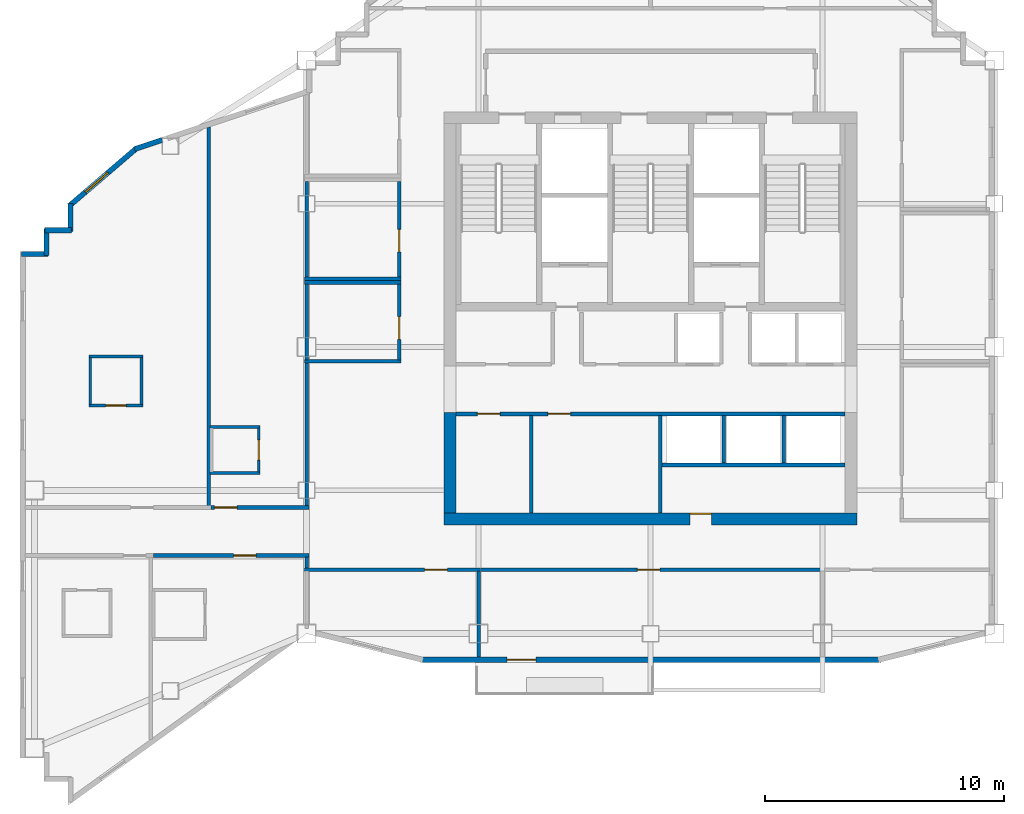
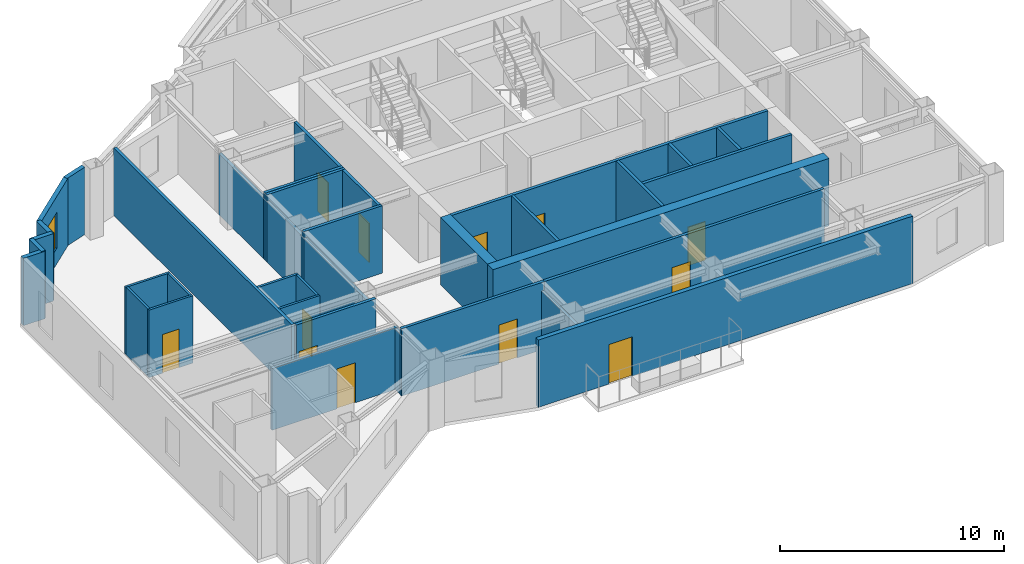
# One storey, part 5 of 9: 37 walls, 12 doors, 1 window, 13 openings.
"""IFC4 building model written with IfcOpenShell, lengths in metres."""

from ifc_helpers import new_model, si_unit, direction, frame, frame_2d, origin, place, context, subcontext, project, spatial, rectangle, extrude, material, layer, layer_set, type_object, element, fill, save


model = new_model("IFC4")

# Units and contexts
model_context = context("Model", 3, precision=1e-05, world=origin(), true_north=direction((0.0, 1.0)))
body_context = subcontext(model_context, "Body", "Model", "MODEL_VIEW")
ifc_project = project(units=[si_unit("LENGTHUNIT", "METRE"), si_unit("AREAUNIT", "SQUARE_METRE"), si_unit("VOLUMEUNIT", "CUBIC_METRE"), si_unit("PLANEANGLEUNIT", "RADIAN"), si_unit("MASSUNIT", "GRAM", prefix="KILO")], contexts=[model_context])

# Site, building, storey
site_placement = place(None, origin())
site = spatial("IfcSite", under=ifc_project, at=site_placement, CompositionType="ELEMENT")
building_placement = place(site_placement, origin())
building = spatial("IfcBuilding", under=site, at=building_placement, Name="Haolan Belvedere Tower", CompositionType="ELEMENT")
storey_placement = place(building_placement, frame((0.0, 0.0, 242.89990234375)))
storey = spatial("IfcBuildingStorey", under=building, at=storey_placement, Name="L61", CompositionType="ELEMENT", Elevation=242.89990234375)

# Wall, opening, door
ifc_material_1 = material(Name="Concrete C50/60", Category="concrete")
ifc_layer_1 = layer(ifc_material_1, 0.5, Name="Concrete C50/60")
ifc_layer_set_1 = layer_set([ifc_layer_1], Name="Concrete C50/60")
wall_type_1 = type_object("IfcWallType", Name="WL-CORE-500", PredefinedType="SHEAR", material=ifc_layer_set_1)
wall_1_placement = place(storey_placement, frame((29.75, 26.39990234375, 0.0), z_axis=(0.0, 0.0, 1.0), x_axis=(1.0, 0.0, 0.0)))
wall_1 = element("IfcWall", 1, at=wall_1_placement, inside=storey, type_object=wall_type_1, Name="L61 central core south shear wall", PredefinedType="SHEAR", context=body_context, shape_type="SweptSolid", body=[
    extrude(rectangle(XDim=17.300048828125, YDim=0.5, at=frame_2d((8.64990234375, 0.0))), origin(), (0.0, 0.0, 1.0), 3.670166015625),
])
opening_1_placement = place(wall_1_placement, frame((11.199951171875, 0.0, 0.0), z_axis=(0.0, 0.0, 1.0), x_axis=(-1.0, 0.0, 0.0)))
opening_1 = element("IfcOpeningElement", 2, at=opening_1_placement, cuts=wall_1, Name="Opening FD-05", PredefinedType="OPENING", context=body_context, shape_type="SweptSolid", body=[
    extrude(rectangle(XDim=0.89990234375, YDim=2.10009765625, at=frame_2d((0.449951171875, 1.050048828125))), frame((0.0, 0.260009765625, 0.0), z_axis=(0.0, -1.0, 0.0), x_axis=(1.0, 0.0, 0.0)), (0.0, 0.0, 1.0), 0.52001953125),
])
ifc_material_2 = material(Name="Galvanised fire-rated steel", Category="steel")
door_type_1 = type_object("IfcDoorType", Name="DR-FD60-900", OperationType="NOTDEFINED", PredefinedType="DOOR", material=ifc_material_2)
door_1_placement = place(opening_1_placement, origin())
door_1 = element("IfcDoor", 3, at=door_1_placement, inside=storey, type_object=door_type_1, Name="L61 door CD-L61-SCVE", OperationType="SINGLE_SWING_RIGHT", OverallHeight=2.10009765625, OverallWidth=0.89990234375, PredefinedType="DOOR", context=body_context, shape_type="SweptSolid", body=[
    extrude(rectangle(XDim=0.89990234375, YDim=2.10009765625, at=frame_2d((0.449951171875, 1.050048828125))), frame((0.0, -0.19482421875, 0.0), z_axis=(0.0, -1.0, 0.0), x_axis=(1.0, 0.0, 0.0)), (0.0, 0.0, 1.0), 0.050048828125),
])
fill(opening_1, door_1)

# Wall
wall_2_placement = place(storey_placement, frame((30.0, 26.64990234375, 0.0), z_axis=(0.0, 0.0, 1.0), x_axis=(0.0, 1.0, 0.0)))
element("IfcWall", 4, at=wall_2_placement, inside=storey, type_object=wall_type_1, Name="L61 central core shear wall WS", PredefinedType="SHEAR", context=body_context, shape_type="SweptSolid", body=[
    extrude(rectangle(XDim=4.2001953125, YDim=0.5, at=frame_2d((2.10009765625, 0.0))), origin(), (0.0, 0.0, 1.0), 3.670166015625),
])

# Wall, opening, door
ifc_material_3 = material(Name="Precast concrete C40/50", Category="concrete")
ifc_layer_2 = layer(ifc_material_3, 0.219970703125, Name="Precast concrete C40/50")
ifc_layer_set_2 = layer_set([ifc_layer_2], Name="Precast concrete C40/50")
wall_type_2 = type_object("IfcWallType", Name="WL-EXT-220", PredefinedType="SOLIDWALL", material=ifc_layer_set_2)
wall_3_placement = place(storey_placement, frame((28.758544921875, 20.510009765625, 0.0), z_axis=(0.0, 0.0, 1.0), x_axis=(1.0, 0.0, 0.0)))
wall_3 = element("IfcWall", 5, at=wall_3_placement, inside=storey, type_object=wall_type_2, Name="L61 pale-metal exterior spandrel wall 1.1", PredefinedType="SOLIDWALL", context=body_context, shape_type="SweptSolid", body=[
    extrude(rectangle(XDim=19.282958984375, YDim=0.219970703125, at=frame_2d((9.6416015625, 0.0))), origin(), (0.0, 0.0, 1.0), 3.670166015625),
])
opening_2_placement = place(wall_3_placement, frame((4.841552734375, 0.0, 0.0), z_axis=(0.0, 0.0, 1.0), x_axis=(-1.0, 0.0, 0.0)))
opening_2 = element("IfcOpeningElement", 6, at=opening_2_placement, cuts=wall_3, Name="Opening BD-01", PredefinedType="OPENING", context=body_context, shape_type="SweptSolid", body=[
    extrude(rectangle(XDim=1.199951171875, YDim=2.14990234375, at=frame_2d((0.60009765625, 1.074951171875))), frame((0.0, 0.119873046875, 0.0), z_axis=(0.0, -1.0, 0.0), x_axis=(1.0, 0.0, 0.0)), (0.0, 0.0, 1.0), 0.239990234375),
])
ifc_material_4 = material(Name="Thermally broken pale-metal aluminium and Low-E glass", Category="aluminium")
door_type_2 = type_object("IfcDoorType", Name="DR-BAL-1200", OperationType="NOTDEFINED", PredefinedType="DOOR", material=ifc_material_4)
door_2_placement = place(opening_2_placement, origin())
door_2 = element("IfcDoor", 7, at=door_2_placement, inside=storey, type_object=door_type_2, Name="L61 tree-balcony access door 1", OperationType="SINGLE_SWING_LEFT", OverallHeight=2.14990234375, OverallWidth=1.199951171875, PredefinedType="DOOR", context=body_context, shape_type="SweptSolid", body=[
    extrude(rectangle(XDim=1.199951171875, YDim=2.14990234375, at=frame_2d((0.60009765625, 1.074951171875))), frame((0.0, 0.02490234375, 0.0), z_axis=(0.0, -1.0, 0.0), x_axis=(1.0, 0.0, 0.0)), (0.0, 0.0, 1.0), 0.050048828125),
])
fill(opening_2, door_2)

# Wall
wall_4_placement = place(storey_placement, frame((17.9580078125, 42.27001953125, 0.0), z_axis=(0.0, 0.0, 1.0), x_axis=(-0.948683298051, -0.316227766017, 0.0)))
element("IfcWall", 8, at=wall_4_placement, inside=storey, type_object=wall_type_2, Name="L61 pale-metal exterior spandrel wall 17.2", PredefinedType="SOLIDWALL", context=body_context, shape_type="SweptSolid", body=[
    extrude(rectangle(XDim=1.217529296875, YDim=0.219970703125, at=frame_2d((0.60888671875, 0.0))), origin(), (0.0, 0.0, 1.0), 3.670166015625),
])

# Wall, opening, window
wall_5_placement = place(storey_placement, frame((16.89697265625, 41.938232421875, 0.0), z_axis=(0.0, 0.0, 1.0), x_axis=(-0.759279729622, -0.650764390686, 0.0)))
wall_5 = element("IfcWall", 9, at=wall_5_placement, inside=storey, type_object=wall_type_2, Name="L61 pale-metal exterior spandrel wall 18.1", PredefinedType="SOLIDWALL", context=body_context, shape_type="SweptSolid", body=[
    extrude(rectangle(XDim=3.725830078125, YDim=0.219970703125, at=frame_2d((1.86279296875, 0.0))), origin(), (0.0, 0.0, 1.0), 3.670166015625),
])
opening_3_placement = place(wall_5_placement, frame((1.60009765625, 0.0, 0.85009765625)))
opening_3 = element("IfcOpeningElement", 10, at=opening_3_placement, cuts=wall_5, Name="Opening W-04", PredefinedType="OPENING", context=body_context, shape_type="SweptSolid", body=[
    extrude(rectangle(XDim=1.25, YDim=1.949951171875, at=frame_2d((0.625, 0.97509765625))), frame((0.0, 0.119873046875, 0.0), z_axis=(0.0, -1.0, 0.0), x_axis=(1.0, 0.0, 0.0)), (0.0, 0.0, 1.0), 0.239990234375),
])
ifc_material_5 = material(Name="Anodised aluminium 6063-T6 and Low-E glass", Category="aluminium")
window_type = type_object("IfcWindowType", Name="WN-DECO-Z4", PartitioningType="SINGLE_PANEL", PredefinedType="WINDOW", material=ifc_material_5)
window_placement = place(opening_3_placement, origin())
window = element("IfcWindow", 11, at=window_placement, inside=storey, type_object=window_type, Name="L61 Art Deco chevron window 1", OverallHeight=1.949951171875, OverallWidth=1.25, PartitioningType="SINGLE_PANEL", PredefinedType="WINDOW", context=body_context, shape_type="SweptSolid", body=[
    extrude(rectangle(XDim=1.25, YDim=1.949951171875, at=frame_2d((0.625, 0.97509765625))), frame((0.0, 0.030029296875, 0.0), z_axis=(0.0, -1.0, 0.0), x_axis=(1.0, 0.0, 0.0)), (0.0, 0.0, 1.0), 0.06005859375),
])
fill(opening_3, window)

# Walls
wall_6_placement = place(storey_placement, frame((14.110107421875, 39.6044921875, 0.0), z_axis=(0.0, 0.0, 1.0), x_axis=(0.0, -1.0, 0.0)))
element("IfcWall", 12, at=wall_6_placement, inside=storey, type_object=wall_type_2, Name="L61 pale-metal exterior spandrel wall 19.1", PredefinedType="SOLIDWALL", context=body_context, shape_type="SweptSolid", body=[
    extrude(rectangle(XDim=1.16943359375, YDim=0.219970703125, at=frame_2d((0.584716796875, 0.0))), origin(), (0.0, 0.0, 1.0), 3.670166015625),
])
wall_7_placement = place(storey_placement, frame((14.1650390625, 38.489990234375, 0.0), z_axis=(0.0, 0.0, 1.0), x_axis=(-1.0, 0.0, 0.0)))
element("IfcWall", 13, at=wall_7_placement, inside=storey, type_object=wall_type_2, Name="L61 pale-metal exterior spandrel wall 20.1", PredefinedType="SOLIDWALL", context=body_context, shape_type="SweptSolid", body=[
    extrude(rectangle(XDim=1.110107421875, YDim=0.219970703125, at=frame_2d((0.55517578125, 0.0))), origin(), (0.0, 0.0, 1.0), 3.670166015625),
])
wall_8_placement = place(storey_placement, frame((13.110107421875, 38.544921875, 0.0), z_axis=(0.0, 0.0, 1.0), x_axis=(0.0, -1.0, 0.0)))
element("IfcWall", 14, at=wall_8_placement, inside=storey, type_object=wall_type_2, Name="L61 pale-metal exterior spandrel wall 21.1", PredefinedType="SOLIDWALL", context=body_context, shape_type="SweptSolid", body=[
    extrude(rectangle(XDim=1.10986328125, YDim=0.219970703125, at=frame_2d((0.554931640625, 0.0))), origin(), (0.0, 0.0, 1.0), 3.670166015625),
])
wall_9_placement = place(storey_placement, frame((13.1650390625, 37.489990234375, 0.0), z_axis=(0.0, 0.0, 1.0), x_axis=(-1.0, 0.0, 0.0)))
element("IfcWall", 15, at=wall_9_placement, inside=storey, type_object=wall_type_2, Name="L61 pale-metal exterior spandrel wall 22.1", PredefinedType="SOLIDWALL", context=body_context, shape_type="SweptSolid", body=[
    extrude(rectangle(XDim=1.110107421875, YDim=0.219970703125, at=frame_2d((0.55517578125, 0.0))), origin(), (0.0, 0.0, 1.0), 3.670166015625),
])
ifc_material_6 = material(Name="Double gypsum acoustic stud partition", Category="masonry")
ifc_layer_3 = layer(ifc_material_6, 0.14990234375, Name="Double gypsum acoustic stud partition")
ifc_layer_set_3 = layer_set([ifc_layer_3], Name="Double gypsum acoustic stud partition")
wall_type_3 = type_object("IfcWallType", Name="WL-PART-150", PredefinedType="PARTITIONING", material=ifc_layer_set_3)
wall_10_placement = place(storey_placement, frame((33.39990234375, 26.659912109375, 0.0), z_axis=(0.0, 0.0, 1.0), x_axis=(0.0, 1.0, 0.0)))
element("IfcWall", 16, at=wall_10_placement, inside=storey, type_object=wall_type_3, Name="L61 interior partition IW-L61-DIV-REUSE-PM", PredefinedType="PARTITIONING", context=body_context, shape_type="SweptSolid", body=[
    extrude(rectangle(XDim=4.0751953125, YDim=0.14990234375, at=frame_2d((2.03759765625, 0.0))), origin(), (0.0, 0.0, 1.0), 3.670166015625),
])
wall_11_placement = place(storey_placement, frame((38.860107421875, 28.659912109375, 0.0), z_axis=(0.0, 0.0, 1.0), x_axis=(1.0, 0.0, 0.0)))
element("IfcWall", 17, at=wall_11_placement, inside=storey, type_object=wall_type_3, Name="L61 interior partition IW-L61-SSTRIP-E", PredefinedType="PARTITIONING", context=body_context, shape_type="SweptSolid", body=[
    extrude(rectangle(XDim=7.68994140625, YDim=0.14990234375, at=frame_2d((3.844970703125, 0.0))), origin(), (0.0, 0.0, 1.0), 3.670166015625),
])
for number, where, z_axis, x_axis, name in (
    (18, (23.919921875, 36.300048828125, 0.0), (0.0, 0.0, 1.0), (1.0, 0.0, 0.0), "L61 interior partition IW-L61-AWC-N"),
    (19, (23.919921875, 33.0, 0.0), (0.0, 0.0, 1.0), (1.0, 0.0, 0.0), "L61 interior partition IW-L61-AWC-S"),
):
    element("IfcWall", number, at=place(storey_placement, frame(where, z_axis=z_axis, x_axis=x_axis)), inside=storey, type_object=wall_type_3, Name=name, PredefinedType="PARTITIONING", context=body_context, shape_type="SweptSolid", body=[
        extrude(rectangle(XDim=4.0400390625, YDim=0.14990234375, at=frame_2d((2.02001953125, 0.0))), origin(), (0.0, 0.0, 1.0), 3.670166015625),
    ])
wall_12_placement = place(storey_placement, frame((24.0, 33.06005859375, 0.0), z_axis=(0.0, 0.0, 1.0), x_axis=(0.0, 1.0, 0.0)))
element("IfcWall", 20, at=wall_12_placement, inside=storey, type_object=wall_type_3, Name="L61 interior partition IW-L61-AWC-W", PredefinedType="PARTITIONING", context=body_context, shape_type="SweptSolid", body=[
    extrude(rectangle(XDim=3.179931640625, YDim=0.14990234375, at=frame_2d((1.58984375, 0.0))), origin(), (0.0, 0.0, 1.0), 3.315185546875),
])

# Wall, opening, door
wall_13_placement = place(storey_placement, frame((27.8798828125, 33.06005859375, 0.0), z_axis=(0.0, 0.0, 1.0), x_axis=(0.0, 1.0, 0.0)))
wall_13 = element("IfcWall", 21, at=wall_13_placement, inside=storey, type_object=wall_type_3, Name="L61 interior partition IW-L61-AWC-E", PredefinedType="PARTITIONING", context=body_context, shape_type="SweptSolid", body=[
    extrude(rectangle(XDim=3.179931640625, YDim=0.14990234375, at=frame_2d((1.58984375, 0.0))), origin(), (0.0, 0.0, 1.0), 3.670166015625),
])
opening_4_placement = place(wall_13_placement, frame((1.81005859375, 0.0, 0.0), z_axis=(0.0, 0.0, 1.0), x_axis=(-1.0, 0.0, 0.0)))
opening_4 = element("IfcOpeningElement", 22, at=opening_4_placement, cuts=wall_13, Name="Opening ID-03", PredefinedType="OPENING", context=body_context, shape_type="SweptSolid", body=[
    extrude(rectangle(XDim=0.949951171875, YDim=2.1201171875, at=frame_2d((0.47509765625, 1.06005859375))), frame((0.0, 0.0849609375, 0.0), z_axis=(0.0, -1.0, 0.0), x_axis=(1.0, 0.0, 0.0)), (0.0, 0.0, 1.0), 0.169921875),
])
ifc_material_7 = material(Name="Painted solid-core timber", Category="wood")
door_type_3 = type_object("IfcDoorType", Name="DR-INT-950", OperationType="NOTDEFINED", PredefinedType="DOOR", material=ifc_material_7)
door_3_placement = place(opening_4_placement, origin())
door_3 = element("IfcDoor", 23, at=door_3_placement, inside=storey, type_object=door_type_3, Name="L61 door ID-L61-AWC", OperationType="SINGLE_SWING_LEFT", OverallHeight=2.1201171875, OverallWidth=0.949951171875, PredefinedType="DOOR", context=body_context, shape_type="SweptSolid", body=[
    extrude(rectangle(XDim=0.949951171875, YDim=2.1201171875, at=frame_2d((0.47509765625, 1.06005859375))), frame((0.0, 0.02490234375, 0.0), z_axis=(0.0, -1.0, 0.0), x_axis=(1.0, 0.0, 0.0)), (0.0, 0.0, 1.0), 0.050048828125),
])
fill(opening_4, door_3)

# Walls
wall_14_placement = place(storey_placement, frame((23.919921875, 36.4599609375, 0.0), z_axis=(0.0, 0.0, 1.0), x_axis=(1.0, 0.0, 0.0)))
element("IfcWall", 24, at=wall_14_placement, inside=storey, type_object=wall_type_3, Name="L61 interior partition IW-L61-PNT-S", PredefinedType="PARTITIONING", context=body_context, shape_type="SweptSolid", body=[
    extrude(rectangle(XDim=4.0400390625, YDim=0.14990234375, at=frame_2d((2.02001953125, 0.0))), origin(), (0.0, 0.0, 1.0), 3.670166015625),
])
wall_15_placement = place(storey_placement, frame((24.0, 36.52001953125, 0.0), z_axis=(0.0, 0.0, 1.0), x_axis=(0.0, 1.0, 0.0)))
element("IfcWall", 25, at=wall_15_placement, inside=storey, type_object=wall_type_3, Name="L61 interior partition IW-L61-PNT-W", PredefinedType="PARTITIONING", context=body_context, shape_type="SweptSolid", body=[
    extrude(rectangle(XDim=4.02001953125, YDim=0.14990234375, at=frame_2d((2.010009765625, 0.0))), origin(), (0.0, 0.0, 1.0), 3.315185546875),
])

# Wall, opening, door
wall_16_placement = place(storey_placement, frame((27.8798828125, 36.52001953125, 0.0), z_axis=(0.0, 0.0, 1.0), x_axis=(0.0, 1.0, 0.0)))
wall_16 = element("IfcWall", 26, at=wall_16_placement, inside=storey, type_object=wall_type_3, Name="L61 interior partition IW-L61-PNT-E", PredefinedType="PARTITIONING", context=body_context, shape_type="SweptSolid", body=[
    extrude(rectangle(XDim=4.02001953125, YDim=0.14990234375, at=frame_2d((2.010009765625, 0.0))), origin(), (0.0, 0.0, 1.0), 3.670166015625),
])
opening_5_placement = place(wall_16_placement, frame((2.010009765625, 0.0, 0.0), z_axis=(0.0, 0.0, 1.0), x_axis=(-1.0, 0.0, 0.0)))
opening_5 = element("IfcOpeningElement", 27, at=opening_5_placement, cuts=wall_16, Name="Opening ID-03", PredefinedType="OPENING", context=body_context, shape_type="SweptSolid", body=[
    extrude(rectangle(XDim=0.949951171875, YDim=2.1201171875, at=frame_2d((0.47509765625, 1.06005859375))), frame((0.0, 0.0849609375, 0.0), z_axis=(0.0, -1.0, 0.0), x_axis=(1.0, 0.0, 0.0)), (0.0, 0.0, 1.0), 0.169921875),
])
door_4_placement = place(opening_5_placement, origin())
door_4 = element("IfcDoor", 28, at=door_4_placement, inside=storey, type_object=door_type_3, Name="L61 door ID-L61-PNT", OperationType="SINGLE_SWING_RIGHT", OverallHeight=2.1201171875, OverallWidth=0.949951171875, PredefinedType="DOOR", context=body_context, shape_type="SweptSolid", body=[
    extrude(rectangle(XDim=0.949951171875, YDim=2.1201171875, at=frame_2d((0.47509765625, 1.06005859375))), frame((0.0, 0.02490234375, 0.0), z_axis=(0.0, -1.0, 0.0), x_axis=(1.0, 0.0, 0.0)), (0.0, 0.0, 1.0), 0.050048828125),
])
fill(opening_5, door_4)

wall_17_placement = place(storey_placement, frame((23.919921875, 24.280029296875, 0.0), z_axis=(0.0, 0.0, 1.0), x_axis=(1.0, 0.0, 0.0)))
wall_17 = element("IfcWall", 29, at=wall_17_placement, inside=storey, type_object=wall_type_3, Name="L61 interior partition IW-L61-KS1-N", PredefinedType="PARTITIONING", context=body_context, shape_type="SweptSolid", body=[
    extrude(rectangle(XDim=7.360107421875, YDim=0.14990234375, at=frame_2d((3.68017578125, 0.0))), origin(), (0.0, 0.0, 1.0), 3.670166015625),
])
opening_6_placement = place(wall_17_placement, frame((5.969970703125, 0.0, 0.0), z_axis=(0.0, 0.0, 1.0), x_axis=(-1.0, 0.0, 0.0)))
opening_6 = element("IfcOpeningElement", 30, at=opening_6_placement, cuts=wall_17, Name="Opening ID-03", PredefinedType="OPENING", context=body_context, shape_type="SweptSolid", body=[
    extrude(rectangle(XDim=0.949951171875, YDim=2.1201171875, at=frame_2d((0.47509765625, 1.06005859375))), frame((0.0, 0.0849609375, 0.0), z_axis=(0.0, -1.0, 0.0), x_axis=(1.0, 0.0, 0.0)), (0.0, 0.0, 1.0), 0.169921875),
])
door_5_placement = place(opening_6_placement, origin())
door_5 = element("IfcDoor", 31, at=door_5_placement, inside=storey, type_object=door_type_3, Name="L61 door ID-L61-KS1", OperationType="SINGLE_SWING_LEFT", OverallHeight=2.1201171875, OverallWidth=0.949951171875, PredefinedType="DOOR", context=body_context, shape_type="SweptSolid", body=[
    extrude(rectangle(XDim=0.949951171875, YDim=2.1201171875, at=frame_2d((0.47509765625, 1.06005859375))), frame((0.0, 0.02490234375, 0.0), z_axis=(0.0, -1.0, 0.0), x_axis=(1.0, 0.0, 0.0)), (0.0, 0.0, 1.0), 0.050048828125),
])
fill(opening_6, door_5)

# Wall
wall_18_placement = place(storey_placement, frame((31.199951171875, 20.612060546875, 0.0), z_axis=(0.0, 0.0, 1.0), x_axis=(0.0, 1.0, 0.0)))
element("IfcWall", 32, at=wall_18_placement, inside=storey, type_object=wall_type_3, Name="L61 interior partition IW-L61-KS1-E", PredefinedType="PARTITIONING", context=body_context, shape_type="SweptSolid", body=[
    extrude(rectangle(XDim=3.60791015625, YDim=0.14990234375, at=frame_2d((1.803955078125, 0.0))), origin(), (0.0, 0.0, 1.0), 3.205078125),
])

# Wall, opening, door
wall_19_placement = place(storey_placement, frame((31.281982421875, 24.280029296875, 0.0), z_axis=(0.0, 0.0, 1.0), x_axis=(1.0, 0.0, 0.0)))
wall_19 = element("IfcWall", 33, at=wall_19_placement, inside=storey, type_object=wall_type_3, Name="L61 interior partition IW-L61-KS2-N", PredefinedType="PARTITIONING", context=body_context, shape_type="SweptSolid", body=[
    extrude(rectangle(XDim=14.39794921875, YDim=0.14990234375, at=frame_2d((7.198974609375, 0.0))), origin(), (0.0, 0.0, 1.0), 3.670166015625),
])
opening_7_placement = place(wall_19_placement, frame((7.512939453125, 0.0, 0.0), z_axis=(0.0, 0.0, 1.0), x_axis=(-1.0, 0.0, 0.0)))
opening_7 = element("IfcOpeningElement", 34, at=opening_7_placement, cuts=wall_19, Name="Opening ID-03", PredefinedType="OPENING", context=body_context, shape_type="SweptSolid", body=[
    extrude(rectangle(XDim=0.949951171875, YDim=2.1201171875, at=frame_2d((0.47509765625, 1.06005859375))), frame((0.0, 0.0849609375, 0.0), z_axis=(0.0, -1.0, 0.0), x_axis=(1.0, 0.0, 0.0)), (0.0, 0.0, 1.0), 0.169921875),
])
door_6_placement = place(opening_7_placement, origin())
door_6 = element("IfcDoor", 35, at=door_6_placement, inside=storey, type_object=door_type_3, Name="L61 door ID-L61-KS2", OperationType="SINGLE_SWING_RIGHT", OverallHeight=2.1201171875, OverallWidth=0.949951171875, PredefinedType="DOOR", context=body_context, shape_type="SweptSolid", body=[
    extrude(rectangle(XDim=0.949951171875, YDim=2.1201171875, at=frame_2d((0.47509765625, 1.06005859375))), frame((0.0, 0.02490234375, 0.0), z_axis=(0.0, -1.0, 0.0), x_axis=(1.0, 0.0, 0.0)), (0.0, 0.0, 1.0), 0.050048828125),
])
fill(opening_7, door_6)

# Wall
wall_20_placement = place(storey_placement, frame((19.89990234375, 26.93994140625, 0.0), z_axis=(0.0, 0.0, 1.0), x_axis=(0.0, 1.0, 0.0)))
element("IfcWall", 36, at=wall_20_placement, inside=storey, type_object=wall_type_3, Name="L61 interior partition IW-L61-T2N1-E", PredefinedType="PARTITIONING", context=body_context, shape_type="SweptSolid", body=[
    extrude(rectangle(XDim=15.869873046875, YDim=0.14990234375, at=frame_2d((7.93505859375, 0.0))), origin(), (0.0, 0.0, 1.0), 3.670166015625),
])

# Wall, opening, door
wall_21_placement = place(storey_placement, frame((20.001953125, 26.8798828125, 0.0), z_axis=(0.0, 0.0, 1.0), x_axis=(1.0, 0.0, 0.0)))
wall_21 = element("IfcWall", 37, at=wall_21_placement, inside=storey, type_object=wall_type_3, Name="L61 interior partition IW-L61-T2N2-S", PredefinedType="PARTITIONING", context=body_context, shape_type="SweptSolid", body=[
    extrude(rectangle(XDim=4.09814453125, YDim=0.14990234375, at=frame_2d((2.049072265625, 0.0))), origin(), (0.0, 0.0, 1.0), 3.670166015625),
])
opening_8_placement = place(wall_21_placement, frame((0.139892578125, 0.0, 0.0)))
opening_8 = element("IfcOpeningElement", 38, at=opening_8_placement, cuts=wall_21, Name="Opening ID-01", PredefinedType="OPENING", context=body_context, shape_type="SweptSolid", body=[
    extrude(rectangle(XDim=0.949951171875, YDim=2.179931640625, at=frame_2d((0.47509765625, 1.08984375))), frame((0.0, 0.0849609375, 0.0), z_axis=(0.0, -1.0, 0.0), x_axis=(1.0, 0.0, 0.0)), (0.0, 0.0, 1.0), 0.169921875),
])
ifc_material_8 = material(Name="Acoustic walnut veneer fire-rated timber", Category="wood")
door_type_4 = type_object("IfcDoorType", Name="DR-SUITE-950", OperationType="NOTDEFINED", PredefinedType="DOOR", material=ifc_material_8)
door_7_placement = place(opening_8_placement, origin())
door_7 = element("IfcDoor", 39, at=door_7_placement, inside=storey, type_object=door_type_4, Name="L61 door ID-L61-T2N2-ENT", OperationType="SINGLE_SWING_LEFT", OverallHeight=2.179931640625, OverallWidth=0.949951171875, PredefinedType="DOOR", context=body_context, shape_type="SweptSolid", body=[
    extrude(rectangle(XDim=0.949951171875, YDim=2.179931640625, at=frame_2d((0.47509765625, 1.08984375))), frame((0.0, 0.02490234375, 0.0), z_axis=(0.0, -1.0, 0.0), x_axis=(1.0, 0.0, 0.0)), (0.0, 0.0, 1.0), 0.050048828125),
])
fill(opening_8, door_7)

# Wall
wall_22_placement = place(storey_placement, frame((24.0, 26.93994140625, 0.0), z_axis=(0.0, 0.0, 1.0), x_axis=(0.0, 1.0, 0.0)))
element("IfcWall", 40, at=wall_22_placement, inside=storey, type_object=wall_type_3, Name="L61 interior partition IW-L61-T2N2-E", PredefinedType="PARTITIONING", context=body_context, shape_type="SweptSolid", body=[
    extrude(rectangle(XDim=6.0, YDim=0.14990234375, at=frame_2d((3.0, 0.0))), origin(), (0.0, 0.0, 1.0), 3.315185546875),
])

# Wall, opening, door
wall_23_placement = place(storey_placement, frame((17.58203125, 24.8701171875, 0.0), z_axis=(0.0, 0.0, 1.0), x_axis=(1.0, 0.0, 0.0)))
wall_23 = element("IfcWall", 41, at=wall_23_placement, inside=storey, type_object=wall_type_3, Name="L61 interior partition IW-L61-T2S2-N", PredefinedType="PARTITIONING", context=body_context, shape_type="SweptSolid", body=[
    extrude(rectangle(XDim=6.51806640625, YDim=0.14990234375, at=frame_2d((3.259033203125, 0.0))), origin(), (0.0, 0.0, 1.0), 3.35498046875),
])
opening_9_placement = place(wall_23_placement, frame((4.309326171875, 0.0, 0.0), z_axis=(0.0, 0.0, 1.0), x_axis=(-1.0, 0.0, 0.0)))
opening_9 = element("IfcOpeningElement", 42, at=opening_9_placement, cuts=wall_23, Name="Opening ID-01", PredefinedType="OPENING", context=body_context, shape_type="SweptSolid", body=[
    extrude(rectangle(XDim=0.949951171875, YDim=2.179931640625, at=frame_2d((0.47509765625, 1.08984375))), frame((0.0, 0.0849609375, 0.0), z_axis=(0.0, -1.0, 0.0), x_axis=(1.0, 0.0, 0.0)), (0.0, 0.0, 1.0), 0.169921875),
])
door_8_placement = place(opening_9_placement, origin())
door_8 = element("IfcDoor", 43, at=door_8_placement, inside=storey, type_object=door_type_4, Name="L61 door ID-L61-T2S2-ENT", OperationType="SINGLE_SWING_LEFT", OverallHeight=2.179931640625, OverallWidth=0.949951171875, PredefinedType="DOOR", context=body_context, shape_type="SweptSolid", body=[
    extrude(rectangle(XDim=0.949951171875, YDim=2.179931640625, at=frame_2d((0.47509765625, 1.08984375))), frame((0.0, 0.02490234375, 0.0), z_axis=(0.0, -1.0, 0.0), x_axis=(1.0, 0.0, 0.0)), (0.0, 0.0, 1.0), 0.050048828125),
])
fill(opening_9, door_8)

# Wall
wall_24_placement = place(storey_placement, frame((24.0, 24.340087890625, 0.0), z_axis=(0.0, 0.0, 1.0), x_axis=(0.0, 1.0, 0.0)))
element("IfcWall", 44, at=wall_24_placement, inside=storey, type_object=wall_type_3, Name="L61 interior partition IW-L61-T2S2-E", PredefinedType="PARTITIONING", context=body_context, shape_type="SweptSolid", body=[
    extrude(rectangle(XDim=0.469970703125, YDim=0.14990234375, at=frame_2d((0.23486328125, 0.0))), origin(), (0.0, 0.0, 1.0), 3.315185546875),
])

# Wall, openings, doors
ifc_material_9 = material(Name="Gypsum fire shaftwall assembly", Category="masonry")
ifc_layer_4 = layer(ifc_material_9, 0.1650390625, Name="Gypsum fire shaftwall assembly")
ifc_layer_set_4 = layer_set([ifc_layer_4], Name="Gypsum fire shaftwall assembly")
wall_type_4 = type_object("IfcWallType", Name="WL-SHAFT-160", PredefinedType="SOLIDWALL", material=ifc_layer_set_4)
wall_25_placement = place(storey_placement, frame((30.25, 30.800048828125, 0.0), z_axis=(0.0, 0.0, 1.0), x_axis=(1.0, 0.0, 0.0)))
wall_25 = element("IfcWall", 45, at=wall_25_placement, inside=storey, type_object=wall_type_4, Name="L61 interior partition IW-L61-ROW-PS", PredefinedType="SOLIDWALL", context=body_context, shape_type="SweptSolid", body=[
    extrude(rectangle(XDim=16.300048828125, YDim=0.159912109375, at=frame_2d((8.14990234375, 0.0))), origin(), (0.0, 0.0, 1.0), 3.670166015625),
])
opening_10_placement = place(wall_25_placement, frame((0.89990234375, 0.0, 0.0)))
opening_10 = element("IfcOpeningElement", 46, at=opening_10_placement, cuts=wall_25, Name="Opening ID-03", PredefinedType="OPENING", context=body_context, shape_type="SweptSolid", body=[
    extrude(rectangle(XDim=0.949951171875, YDim=2.1201171875, at=frame_2d((0.47509765625, 1.06005859375))), frame((0.0, 0.08984375, 0.0), z_axis=(0.0, -1.0, 0.0), x_axis=(1.0, 0.0, 0.0)), (0.0, 0.0, 1.0), 0.179931640625),
])
opening_11_placement = place(wall_25_placement, frame((3.85009765625, 0.0, 0.0)))
opening_11 = element("IfcOpeningElement", 47, at=opening_11_placement, cuts=wall_25, Name="Opening ID-03", PredefinedType="OPENING", context=body_context, shape_type="SweptSolid", body=[
    extrude(rectangle(XDim=0.949951171875, YDim=2.1201171875, at=frame_2d((0.47509765625, 1.06005859375))), frame((0.0, 0.08984375, 0.0), z_axis=(0.0, -1.0, 0.0), x_axis=(1.0, 0.0, 0.0)), (0.0, 0.0, 1.0), 0.179931640625),
])
door_9_placement = place(opening_10_placement, origin())
door_9 = element("IfcDoor", 48, at=door_9_placement, inside=storey, type_object=door_type_3, Name="L61 door ID-L61-CD-RPMA", OperationType="SINGLE_SWING_LEFT", OverallHeight=2.1201171875, OverallWidth=0.949951171875, PredefinedType="DOOR", context=body_context, shape_type="SweptSolid", body=[
    extrude(rectangle(XDim=0.949951171875, YDim=2.1201171875, at=frame_2d((0.47509765625, 1.06005859375))), frame((0.0, 0.02490234375, 0.0), z_axis=(0.0, -1.0, 0.0), x_axis=(1.0, 0.0, 0.0)), (0.0, 0.0, 1.0), 0.050048828125),
])
fill(opening_10, door_9)
door_10_placement = place(opening_11_placement, origin())
door_10 = element("IfcDoor", 49, at=door_10_placement, inside=storey, type_object=door_type_3, Name="L61 door ID-L61-CD-RPMB", OperationType="SINGLE_SWING_RIGHT", OverallHeight=2.1201171875, OverallWidth=0.949951171875, PredefinedType="DOOR", context=body_context, shape_type="SweptSolid", body=[
    extrude(rectangle(XDim=0.949951171875, YDim=2.1201171875, at=frame_2d((0.47509765625, 1.06005859375))), frame((0.0, 0.02490234375, 0.0), z_axis=(0.0, -1.0, 0.0), x_axis=(1.0, 0.0, 0.0)), (0.0, 0.0, 1.0), 0.050048828125),
])
fill(opening_11, door_10)

# Walls
wall_26_placement = place(storey_placement, frame((38.800048828125, 26.659912109375, 0.0), z_axis=(0.0, 0.0, 1.0), x_axis=(0.0, 1.0, 0.0)))
element("IfcWall", 50, at=wall_26_placement, inside=storey, type_object=wall_type_4, Name="L61 interior partition IW-L61-DIV-PM-OB", PredefinedType="SOLIDWALL", context=body_context, shape_type="SweptSolid", body=[
    extrude(rectangle(XDim=4.0751953125, YDim=0.14990234375, at=frame_2d((2.03759765625, 0.0))), origin(), (0.0, 0.0, 1.0), 3.670166015625),
])
for number, where, z_axis, x_axis, name in (
    (51, (41.469970703125, 28.75, 0.0), (0.0, 0.0, 1.0), (0.0, 1.0, 0.0), "L61 interior partition IW-L61-DIV-OB1"),
    (52, (43.97998046875, 28.75, 0.0), (0.0, 0.0, 1.0), (0.0, 1.0, 0.0), "L61 interior partition IW-L61-DIV-OB2"),
):
    element("IfcWall", number, at=place(storey_placement, frame(where, z_axis=z_axis, x_axis=x_axis)), inside=storey, type_object=wall_type_4, Name=name, PredefinedType="SOLIDWALL", context=body_context, shape_type="SweptSolid", body=[
        extrude(rectangle(XDim=1.985107421875, YDim=0.14990234375, at=frame_2d((0.99267578125, 0.0))), origin(), (0.0, 0.0, 1.0), 3.670166015625),
    ])
ifc_material_10 = material(Name="Moisture-resistant gypsum tile partition", Category="masonry")
ifc_layer_5 = layer(ifc_material_10, 0.1201171875, Name="Moisture-resistant gypsum tile partition")
ifc_layer_set_5 = layer_set([ifc_layer_5], Name="Moisture-resistant gypsum tile partition")
wall_type_5 = type_object("IfcWallType", Name="WL-WET-120", PredefinedType="PARTITIONING", material=ifc_layer_set_5)
wall_27_placement = place(storey_placement, frame((14.8798828125, 33.199951171875, 0.0), z_axis=(0.0, 0.0, 1.0), x_axis=(1.0, 0.0, 0.0)))
element("IfcWall", 53, at=wall_27_placement, inside=storey, type_object=wall_type_5, Name="L61 interior partition IW-L61-T2N1-BN", PredefinedType="PARTITIONING", context=body_context, shape_type="SweptSolid", body=[
    extrude(rectangle(XDim=2.27001953125, YDim=0.1201171875, at=frame_2d((1.135009765625, 0.0))), origin(), (0.0, 0.0, 1.0), 3.670166015625),
])

# Wall, opening, door
wall_28_placement = place(storey_placement, frame((14.8798828125, 31.14990234375, 0.0), z_axis=(0.0, 0.0, 1.0), x_axis=(1.0, 0.0, 0.0)))
wall_28 = element("IfcWall", 54, at=wall_28_placement, inside=storey, type_object=wall_type_5, Name="L61 interior partition IW-L61-T2N1-BS", PredefinedType="PARTITIONING", context=body_context, shape_type="SweptSolid", body=[
    extrude(rectangle(XDim=2.27001953125, YDim=0.1201171875, at=frame_2d((1.135009765625, 0.0))), origin(), (0.0, 0.0, 1.0), 3.670166015625),
])
opening_12_placement = place(wall_28_placement, frame((0.7099609375, 0.0, 0.0)))
opening_12 = element("IfcOpeningElement", 55, at=opening_12_placement, cuts=wall_28, Name="Opening ID-05", PredefinedType="OPENING", context=body_context, shape_type="SweptSolid", body=[
    extrude(rectangle(XDim=0.85009765625, YDim=2.10009765625, at=frame_2d((0.425048828125, 1.050048828125))), frame((0.0, 0.070068359375, 0.0), z_axis=(0.0, -1.0, 0.0), x_axis=(1.0, 0.0, 0.0)), (0.0, 0.0, 1.0), 0.14013671875),
])
ifc_material_11 = material(Name="Moisture-resistant lacquered timber", Category="wood")
door_type_5 = type_object("IfcDoorType", Name="DR-BATH-850", OperationType="NOTDEFINED", PredefinedType="DOOR", material=ifc_material_11)
door_11_placement = place(opening_12_placement, origin())
door_11 = element("IfcDoor", 56, at=door_11_placement, inside=storey, type_object=door_type_5, Name="L61 door ID-L61-T2N1-BATH", OperationType="SINGLE_SWING_LEFT", OverallHeight=2.10009765625, OverallWidth=0.85009765625, PredefinedType="DOOR", context=body_context, shape_type="SweptSolid", body=[
    extrude(rectangle(XDim=0.85009765625, YDim=2.10009765625, at=frame_2d((0.425048828125, 1.050048828125))), frame((0.0, 0.02490234375, 0.0), z_axis=(0.0, -1.0, 0.0), x_axis=(1.0, 0.0, 0.0)), (0.0, 0.0, 1.0), 0.050048828125),
])
fill(opening_12, door_11)

# Walls
for number, where, z_axis, x_axis, name in (
    (57, (14.93994140625, 31.195068359375, 0.0), (0.0, 0.0, 1.0), (0.0, 1.0, 0.0), "L61 interior partition IW-L61-T2N1-BW"),
    (58, (17.090087890625, 31.195068359375, 0.0), (0.0, 0.0, 1.0), (0.0, 1.0, 0.0), "L61 interior partition IW-L61-T2N1-BE"),
):
    element("IfcWall", number, at=place(storey_placement, frame(where, z_axis=z_axis, x_axis=x_axis)), inside=storey, type_object=wall_type_5, Name=name, PredefinedType="PARTITIONING", context=body_context, shape_type="SweptSolid", body=[
        extrude(rectangle(XDim=1.9599609375, YDim=0.1201171875, at=frame_2d((0.97998046875, 0.0))), origin(), (0.0, 0.0, 1.0), 3.670166015625),
    ])
for number, where, z_axis, x_axis, name in (
    (59, (19.9599609375, 30.25, 0.0), (0.0, 0.0, 1.0), (1.0, 0.0, 0.0), "L61 interior partition IW-L61-T2N2-BN"),
    (60, (19.9599609375, 28.330078125, 0.0), (0.0, 0.0, 1.0), (1.0, 0.0, 0.0), "L61 interior partition IW-L61-T2N2-BS"),
):
    element("IfcWall", number, at=place(storey_placement, frame(where, z_axis=z_axis, x_axis=x_axis)), inside=storey, type_object=wall_type_5, Name=name, PredefinedType="PARTITIONING", context=body_context, shape_type="SweptSolid", body=[
        extrude(rectangle(XDim=2.09423828125, YDim=0.1201171875, at=frame_2d((1.047119140625, 0.0))), origin(), (0.0, 0.0, 1.0), 3.670166015625),
    ])

# Wall, opening, door
wall_29_placement = place(storey_placement, frame((21.994140625, 28.375, 0.0), z_axis=(0.0, 0.0, 1.0), x_axis=(0.0, 1.0, 0.0)))
wall_29 = element("IfcWall", 61, at=wall_29_placement, inside=storey, type_object=wall_type_5, Name="L61 interior partition IW-L61-T2N2-BE", PredefinedType="PARTITIONING", context=body_context, shape_type="SweptSolid", body=[
    extrude(rectangle(XDim=1.830078125, YDim=0.1201171875, at=frame_2d((0.9150390625, 0.0))), origin(), (0.0, 0.0, 1.0), 3.670166015625),
])
opening_13_placement = place(wall_29_placement, frame((0.489990234375, 0.0, 0.0)))
opening_13 = element("IfcOpeningElement", 62, at=opening_13_placement, cuts=wall_29, Name="Opening ID-05", PredefinedType="OPENING", context=body_context, shape_type="SweptSolid", body=[
    extrude(rectangle(XDim=0.85009765625, YDim=2.10009765625, at=frame_2d((0.425048828125, 1.050048828125))), frame((0.0, 0.070068359375, 0.0), z_axis=(0.0, -1.0, 0.0), x_axis=(1.0, 0.0, 0.0)), (0.0, 0.0, 1.0), 0.14013671875),
])
door_12_placement = place(opening_13_placement, origin())
door_12 = element("IfcDoor", 63, at=door_12_placement, inside=storey, type_object=door_type_5, Name="L61 door ID-L61-T2N2-BATH", OperationType="SINGLE_SWING_RIGHT", OverallHeight=2.10009765625, OverallWidth=0.85009765625, PredefinedType="DOOR", context=body_context, shape_type="SweptSolid", body=[
    extrude(rectangle(XDim=0.85009765625, YDim=2.10009765625, at=frame_2d((0.425048828125, 1.050048828125))), frame((0.0, 0.02490234375, 0.0), z_axis=(0.0, -1.0, 0.0), x_axis=(1.0, 0.0, 0.0)), (0.0, 0.0, 1.0), 0.050048828125),
])
fill(opening_13, door_12)

save(model, "model.ifc")
